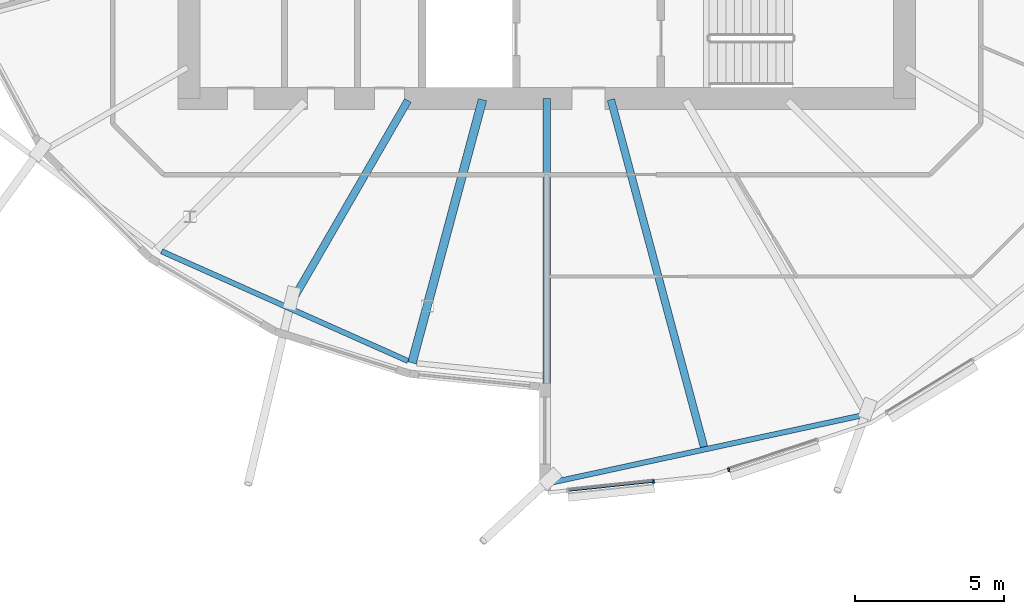
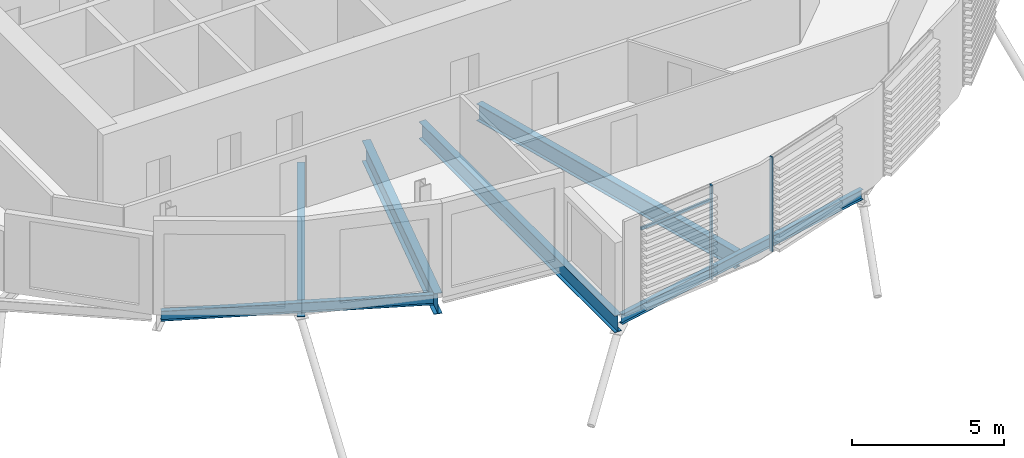
# One storey, part 4 of 42: 6 beams, 3 members, 1 element without a shape of its own.
"""IFC4 building model written with IfcOpenShell, lengths in metres."""

from ifc_helpers import new_model, si_unit, direction, frame, origin, origin_2d, place, context, subcontext, project, spatial, rectangle, i_section, extrude, material, material_profile, profile_set, type_object, element, aggregate, save


model = new_model("IFC4")

# Units and contexts
model_context = context("Model", 3, precision=1e-05, world=origin(), true_north=direction((0.0, 1.0)))
body_context = subcontext(model_context, "Body", "Model", "MODEL_VIEW")
ifc_project = project(units=[si_unit("LENGTHUNIT", "METRE"), si_unit("AREAUNIT", "SQUARE_METRE"), si_unit("VOLUMEUNIT", "CUBIC_METRE"), si_unit("PLANEANGLEUNIT", "RADIAN"), si_unit("MASSUNIT", "GRAM", prefix="KILO")], contexts=[model_context])

# Site, building, storey
site_placement = place(None, origin())
site = spatial("IfcSite", under=ifc_project, at=site_placement, CompositionType="ELEMENT")
building_placement = place(site_placement, origin())
building = spatial("IfcBuilding", under=site, at=building_placement, Name="Rimbun Link Towers", CompositionType="ELEMENT")
storey_placement = place(building_placement, frame((0.0, 0.0, 85.39990234375)))
storey = spatial("IfcBuildingStorey", under=building, at=storey_placement, Name="L20", CompositionType="ELEMENT", Elevation=85.39990234375)

# Curtain wall, members
ifc_material_1 = material(Name="Aluminium 6063-T6 and low-iron glass", Category="aluminium")
curtain_wall_type = type_object("IfcCurtainWallType", Name="CW1-Z2 unitised vision wall (zone 2)", PredefinedType="NOTDEFINED", material=ifc_material_1)
curtain_wall_placement = place(storey_placement, origin())
curtain_wall = element("IfcCurtainWall", 1, at=curtain_wall_placement, inside=storey, type_object=curtain_wall_type, Name="CW1 L20 T1", PredefinedType="NOTDEFINED")
ifc_material_2 = material(Name="Aluminium 6063-T6", Category="aluminium")
ifc_material_profile_1 = material_profile(ifc_material_2, rectangle(XDim=0.1201171875, YDim=0.06005859375, at=origin_2d()), Name="MULLION 60X120")
ifc_profile_set_1 = profile_set([ifc_material_profile_1], Name="Aluminium 6063-T6")
member_type_1 = type_object("IfcMemberType", Name="CW1 mullion 60X120", PredefinedType="MULLION", material=ifc_profile_set_1)
member_1_placement = place(storey_placement, frame((-28.167236328125, -20.84912109375, 0.0), z_axis=(0.0, 0.0, 1.0), x_axis=(0.104736404583, -0.994500017876, 0.0)))
member_1 = element("IfcMember", 2, at=member_1_placement, type_object=member_type_1, Name="CW1 mullion", PredefinedType="MULLION", context=body_context, shape_type="SweptSolid", body=[
    extrude(rectangle(XDim=0.1201171875, YDim=0.06005859375, at=origin_2d()), origin(), (0.0, 0.0, 1.0), 3.800048828125),
])
member_2_placement = place(storey_placement, frame((-25.645751953125, -20.453369140625, 0.0), z_axis=(0.0, 0.0, 1.0), x_axis=(0.314576015911, -0.949232284646, 0.0)))
member_2 = element("IfcMember", 3, at=member_2_placement, type_object=member_type_1, Name="CW1 mullion", PredefinedType="MULLION", context=body_context, shape_type="SweptSolid", body=[
    extrude(rectangle(XDim=0.1201171875, YDim=0.06005859375, at=origin_2d()), origin(), (0.0, 0.0, 1.0), 3.800048828125),
])
ifc_material_3 = material(Name="Aluminium 6063-T6", Category="aluminium")
ifc_material_profile_2 = material_profile(ifc_material_3, rectangle(XDim=0.06005859375, YDim=0.1201171875, at=origin_2d()), Name="TRANSOM 60X120")
ifc_profile_set_2 = profile_set([ifc_material_profile_2], Name="Aluminium 6063-T6")
member_type_2 = type_object("IfcMemberType", Name="CW1 transom 60X120", PredefinedType="USERDEFINED", material=ifc_profile_set_2)
member_3_placement = place(storey_placement, frame((-28.197265625, -20.85009765625, 3.2001953125), z_axis=(-0.994497431471, -0.104760960279, 0.0), x_axis=(0.104760960279, -0.994497431471, 0.0)))
member_3 = element("IfcMember", 4, at=member_3_placement, type_object=member_type_2, Name="CW1 transom", ObjectType="TRANSOM", PredefinedType="USERDEFINED", context=body_context, shape_type="SweptSolid", body=[
    extrude(rectangle(XDim=0.06005859375, YDim=0.1201171875, at=origin_2d()), origin(), (0.0, 0.0, 1.0), 2.836181640625),
])
aggregate(curtain_wall, [member_1, member_2, member_3])

# Beams
ifc_material_4 = material(Name="Steel S355J2", Category="steel")
ifc_material_profile_3 = material_profile(ifc_material_4, i_section(OverallWidth=0.177978515625, OverallDepth=0.406494140625, WebThickness=0.0078125, FlangeThickness=0.0126953125, at=origin_2d()), Name="UB 406x178x60")
ifc_profile_set_3 = profile_set([ifc_material_profile_3], Name="Steel S355J2")
beam_type_1 = type_object("IfcBeamType", Name="UB 406x178x60", PredefinedType="BEAM", material=ifc_profile_set_3)
beam_1_placement = place(storey_placement, frame((-44.666259765625, -13.124267578125, -0.363037109375), z_axis=(0.91355086139, -0.406724505842, 0.0), x_axis=(0.406724505842, 0.91355086139, 0.0)))
element("IfcBeam", 5, at=beam_1_placement, inside=storey, type_object=beam_type_1, Name="Edge beam T1 L20 15-17", PredefinedType="BEAM", context=body_context, shape_type="SweptSolid", body=[
    extrude(i_section(OverallWidth=0.177978515625, OverallDepth=0.406494140625, WebThickness=0.0078125, FlangeThickness=0.0126953125, at=origin_2d()), origin(), (0.0, 0.0, 1.0), 9.04345703125),
])
beam_2_placement = place(storey_placement, frame((-31.622314453125, -20.886962890625, -0.363037109375), z_axis=(0.97738681587, 0.211459244686, 0.0), x_axis=(-0.211459244686, 0.97738681587, 0.0)))
element("IfcBeam", 6, at=beam_2_placement, inside=storey, type_object=beam_type_1, Name="Edge beam T1 L20 18-20", PredefinedType="BEAM", context=body_context, shape_type="SweptSolid", body=[
    extrude(i_section(OverallWidth=0.177978515625, OverallDepth=0.406494140625, WebThickness=0.0078125, FlangeThickness=0.0126953125, at=origin_2d()), origin(), (0.0, 0.0, 1.0), 10.7177734375),
])
ifc_material_5 = material(Name="Steel S355J2", Category="steel")
ifc_material_profile_4 = material_profile(ifc_material_5, i_section(OverallWidth=0.253662109375, OverallDepth=0.68359375, WebThickness=0.012451171875, FlangeThickness=0.01904296875, at=origin_2d()), Name="UB 686x254x140")
ifc_profile_set_4 = profile_set([ifc_material_profile_4], Name="Steel S355J2")
beam_type_2 = type_object("IfcBeamType", Name="UB 686x254x140", PredefinedType="BEAM", material=ifc_profile_set_4)
beam_3_placement = place(storey_placement, frame((-36.406005859375, -8.064208984375, -0.501708984375), z_axis=(-0.49997721687, -0.866038557231, 0.0), x_axis=(0.866038557231, -0.49997721687, 0.0)))
element("IfcBeam", 7, at=beam_3_placement, inside=storey, type_object=beam_type_2, Name="Radial beam T1 L20 16", PredefinedType="BEAM", context=body_context, shape_type="SweptSolid", body=[
    extrude(i_section(OverallWidth=0.253662109375, OverallDepth=0.68359375, WebThickness=0.012451171875, FlangeThickness=0.01904296875, at=origin_2d()), origin(), (0.0, 0.0, 1.0), 7.935791015625),
])
beam_4_placement = place(storey_placement, frame((-31.75, -8.0009765625, -0.501708984375), z_axis=(0.0, -1.0, 0.0), x_axis=(1.0, 0.0, 0.0)))
element("IfcBeam", 8, at=beam_4_placement, inside=storey, type_object=beam_type_2, Name="Radial beam T1 L20 18", PredefinedType="BEAM", context=body_context, shape_type="SweptSolid", body=[
    extrude(i_section(OverallWidth=0.253662109375, OverallDepth=0.68359375, WebThickness=0.012451171875, FlangeThickness=0.01904296875, at=origin_2d()), origin(), (0.0, 0.0, 1.0), 12.91357421875),
])
beam_5_placement = place(storey_placement, frame((-29.597412109375, -8.03369140625, -0.501708984375), z_axis=(0.258821765746, -0.965925097291, 0.0), x_axis=(0.965925097291, 0.258821765746, 0.0)))
element("IfcBeam", 9, at=beam_5_placement, inside=storey, type_object=beam_type_2, Name="Radial beam T1 L20 19", PredefinedType="BEAM", context=body_context, shape_type="SweptSolid", body=[
    extrude(i_section(OverallWidth=0.253662109375, OverallDepth=0.68359375, WebThickness=0.012451171875, FlangeThickness=0.01904296875, at=origin_2d()), origin(), (0.0, 0.0, 1.0), 12.058837890625),
])
ifc_material_6 = material(Name="Steel S355J2", Category="steel")
ifc_material_profile_5 = material_profile(ifc_material_6, i_section(OverallWidth=0.29248046875, OverallDepth=0.8408203125, WebThickness=0.0126953125, FlangeThickness=0.021728515625, at=origin_2d()), Name="UB 838x292x194")
ifc_profile_set_5 = profile_set([ifc_material_profile_5], Name="Steel S355J2")
beam_type_3 = type_object("IfcBeamType", Name="UB 838x292x194", PredefinedType="BEAM", material=ifc_profile_set_5)
beam_6_placement = place(storey_placement, frame((-33.904052734375, -8.038818359375, -0.580322265625), z_axis=(-0.258825138721, -0.965924193488, 0.0), x_axis=(0.965924193488, -0.258825138721, 0.0)))
element("IfcBeam", 10, at=beam_6_placement, inside=storey, type_object=beam_type_3, Name="Radial beam T1 L20 17", PredefinedType="BEAM", context=body_context, shape_type="SweptSolid", body=[
    extrude(i_section(OverallWidth=0.29248046875, OverallDepth=0.8408203125, WebThickness=0.0126953125, FlangeThickness=0.021728515625, at=origin_2d()), origin(), (0.0, 0.0, 1.0), 9.135498046875),
])

save(model, "model.ifc")
